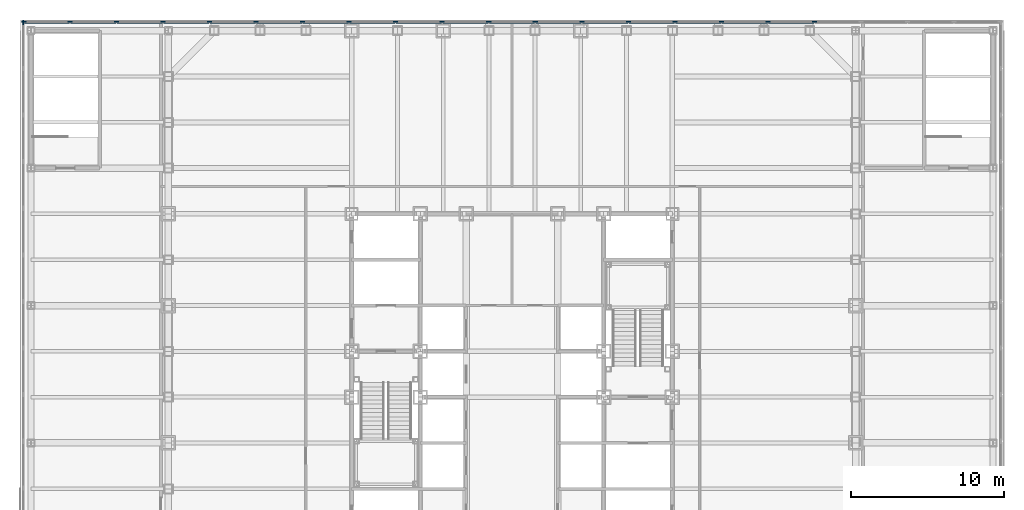
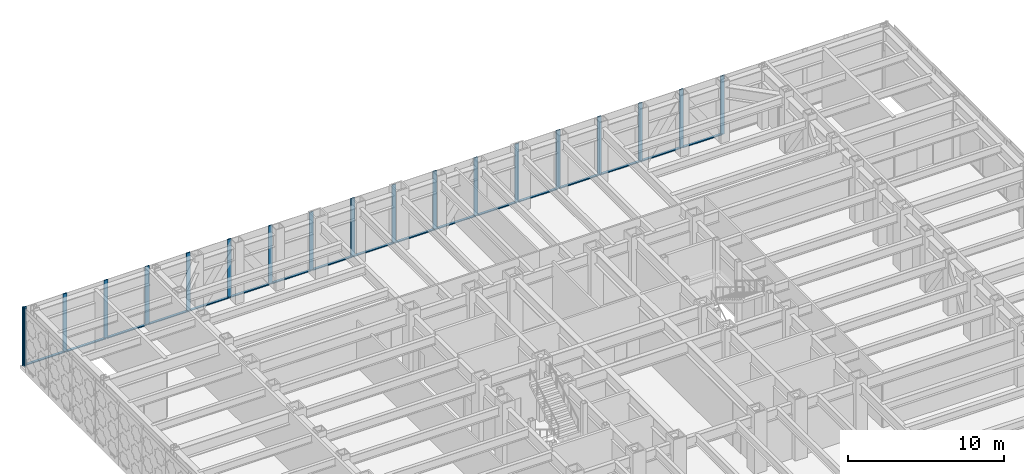
# One storey, part 10 of 24: 36 members, 2 elements without a shape of their own.
"""IFC4 building model written with IfcOpenShell, lengths in metres."""

from ifc_helpers import new_model, si_unit, direction, frame, origin, origin_2d, place, context, subcontext, project, spatial, rectangle, extrude, material, layer, layer_set, material_profile, profile_set, type_object, element, aggregate, save


model = new_model("IFC4")

# Units and contexts
model_context = context("Model", 3, precision=1e-05, world=origin(), true_north=direction((0.0, 1.0)))
body_context = subcontext(model_context, "Body", "Model", "MODEL_VIEW")
ifc_project = project(units=[si_unit("LENGTHUNIT", "METRE"), si_unit("AREAUNIT", "SQUARE_METRE"), si_unit("VOLUMEUNIT", "CUBIC_METRE"), si_unit("PLANEANGLEUNIT", "RADIAN"), si_unit("MASSUNIT", "GRAM", prefix="KILO")], contexts=[model_context])

# Site, building, storey
site_placement = place(None, origin())
site = spatial("IfcSite", under=ifc_project, at=site_placement, CompositionType="ELEMENT")
building_placement = place(site_placement, origin())
building = spatial("IfcBuilding", under=site, at=building_placement, Name="Chuquiago Exchange Tower", CompositionType="ELEMENT")
storey_placement = place(building_placement, frame((0.0, 0.0, 19.5)))
storey = spatial("IfcBuildingStorey", under=building, at=storey_placement, Name="L03", CompositionType="ELEMENT", Elevation=19.5)

# Curtain wall, members
ifc_material_1 = material(Name="Aluminium curtain wall system", Category="aluminium")
ifc_layer = layer(ifc_material_1, 0.300048828125)
ifc_layer_set = layer_set([ifc_layer], Name="CW4 podium curtain wall")
curtain_wall_type = type_object("IfcCurtainWallType", Name="CW4 podium curtain wall", PredefinedType="NOTDEFINED", material=ifc_layer_set)
curtain_wall_1_placement = place(storey_placement, origin())
curtain_wall_1 = element("IfcCurtainWall", 1, at=curtain_wall_1_placement, inside=storey, type_object=curtain_wall_type, Name="CW4 curtain wall L03", PredefinedType="NOTDEFINED")
ifc_material_2 = material(Name="Aluminium mullion, pale anodised", Category="aluminium")
ifc_material_profile_1 = material_profile(ifc_material_2, rectangle(XDim=0.074951171875, YDim=0.300048828125, at=origin_2d()), Name="AL 75x300")
ifc_profile_set_1 = profile_set([ifc_material_profile_1], Name="Aluminium mullion, pale anodised")
member_type_1 = type_object("IfcMemberType", Name="CW4-M mullion 75x300", PredefinedType="MULLION", material=ifc_profile_set_1)
member_1_placement = place(storey_placement, frame((42.3095703125, 45.574951171875, 0.0), z_axis=(0.0, 0.0, 1.0), x_axis=(0.0, -1.0, 0.0)))
member_1 = element("IfcMember", 2, at=member_1_placement, type_object=member_type_1, Name="CW4 mullion 5", PredefinedType="MULLION", context=body_context, shape_type="SweptSolid", body=[
    extrude(rectangle(XDim=0.074951171875, YDim=0.300048828125, at=origin_2d()), origin(), (0.0, 0.0, 1.0), 4.60009765625),
])
member_2_placement = place(storey_placement, frame((39.261962890625, 45.574951171875, 0.0), z_axis=(0.0, 0.0, 1.0), x_axis=(0.0, -1.0, 0.0)))
member_2 = element("IfcMember", 3, at=member_2_placement, type_object=member_type_1, Name="CW4 mullion 6", PredefinedType="MULLION", context=body_context, shape_type="SweptSolid", body=[
    extrude(rectangle(XDim=0.074951171875, YDim=0.300048828125, at=origin_2d()), origin(), (0.0, 0.0, 1.0), 4.60009765625),
])
member_3_placement = place(storey_placement, frame((36.21435546875, 45.574951171875, 0.0), z_axis=(0.0, 0.0, 1.0), x_axis=(0.0, -1.0, 0.0)))
member_3 = element("IfcMember", 4, at=member_3_placement, type_object=member_type_1, Name="CW4 mullion 7", PredefinedType="MULLION", context=body_context, shape_type="SweptSolid", body=[
    extrude(rectangle(XDim=0.074951171875, YDim=0.300048828125, at=origin_2d()), origin(), (0.0, 0.0, 1.0), 4.60009765625),
])
member_4_placement = place(storey_placement, frame((33.166748046875, 45.574951171875, 0.0), z_axis=(0.0, 0.0, 1.0), x_axis=(0.0, -1.0, 0.0)))
member_4 = element("IfcMember", 5, at=member_4_placement, type_object=member_type_1, Name="CW4 mullion 8", PredefinedType="MULLION", context=body_context, shape_type="SweptSolid", body=[
    extrude(rectangle(XDim=0.074951171875, YDim=0.300048828125, at=origin_2d()), origin(), (0.0, 0.0, 1.0), 4.60009765625),
])
member_5_placement = place(storey_placement, frame((30.119140625, 45.574951171875, 0.0), z_axis=(0.0, 0.0, 1.0), x_axis=(0.0, -1.0, 0.0)))
member_5 = element("IfcMember", 6, at=member_5_placement, type_object=member_type_1, Name="CW4 mullion 9", PredefinedType="MULLION", context=body_context, shape_type="SweptSolid", body=[
    extrude(rectangle(XDim=0.074951171875, YDim=0.300048828125, at=origin_2d()), origin(), (0.0, 0.0, 1.0), 4.60009765625),
])
member_6_placement = place(storey_placement, frame((27.071533203125, 45.574951171875, 0.0), z_axis=(0.0, 0.0, 1.0), x_axis=(0.0, -1.0, 0.0)))
member_6 = element("IfcMember", 7, at=member_6_placement, type_object=member_type_1, Name="CW4 mullion 10", PredefinedType="MULLION", context=body_context, shape_type="SweptSolid", body=[
    extrude(rectangle(XDim=0.074951171875, YDim=0.300048828125, at=origin_2d()), origin(), (0.0, 0.0, 1.0), 4.60009765625),
])
member_7_placement = place(storey_placement, frame((24.02392578125, 45.574951171875, 0.0), z_axis=(0.0, 0.0, 1.0), x_axis=(0.0, -1.0, 0.0)))
member_7 = element("IfcMember", 8, at=member_7_placement, type_object=member_type_1, Name="CW4 mullion 11", PredefinedType="MULLION", context=body_context, shape_type="SweptSolid", body=[
    extrude(rectangle(XDim=0.074951171875, YDim=0.300048828125, at=origin_2d()), origin(), (0.0, 0.0, 1.0), 4.60009765625),
])
member_8_placement = place(storey_placement, frame((20.97607421875, 45.574951171875, 0.0), z_axis=(0.0, 0.0, 1.0), x_axis=(0.0, -1.0, 0.0)))
member_8 = element("IfcMember", 9, at=member_8_placement, type_object=member_type_1, Name="CW4 mullion 12", PredefinedType="MULLION", context=body_context, shape_type="SweptSolid", body=[
    extrude(rectangle(XDim=0.074951171875, YDim=0.300048828125, at=origin_2d()), origin(), (0.0, 0.0, 1.0), 4.60009765625),
])
member_9_placement = place(storey_placement, frame((17.928466796875, 45.574951171875, 0.0), z_axis=(0.0, 0.0, 1.0), x_axis=(0.0, -1.0, 0.0)))
member_9 = element("IfcMember", 10, at=member_9_placement, type_object=member_type_1, Name="CW4 mullion 13", PredefinedType="MULLION", context=body_context, shape_type="SweptSolid", body=[
    extrude(rectangle(XDim=0.074951171875, YDim=0.300048828125, at=origin_2d()), origin(), (0.0, 0.0, 1.0), 4.60009765625),
])
member_10_placement = place(storey_placement, frame((14.880859375, 45.574951171875, 0.0), z_axis=(0.0, 0.0, 1.0), x_axis=(0.0, -1.0, 0.0)))
member_10 = element("IfcMember", 11, at=member_10_placement, type_object=member_type_1, Name="CW4 mullion 14", PredefinedType="MULLION", context=body_context, shape_type="SweptSolid", body=[
    extrude(rectangle(XDim=0.074951171875, YDim=0.300048828125, at=origin_2d()), origin(), (0.0, 0.0, 1.0), 4.60009765625),
])
member_11_placement = place(storey_placement, frame((11.833251953125, 45.574951171875, 0.0), z_axis=(0.0, 0.0, 1.0), x_axis=(0.0, -1.0, 0.0)))
member_11 = element("IfcMember", 12, at=member_11_placement, type_object=member_type_1, Name="CW4 mullion 15", PredefinedType="MULLION", context=body_context, shape_type="SweptSolid", body=[
    extrude(rectangle(XDim=0.074951171875, YDim=0.300048828125, at=origin_2d()), origin(), (0.0, 0.0, 1.0), 4.60009765625),
])
member_12_placement = place(storey_placement, frame((8.78564453125, 45.574951171875, 0.0), z_axis=(0.0, 0.0, 1.0), x_axis=(0.0, -1.0, 0.0)))
member_12 = element("IfcMember", 13, at=member_12_placement, type_object=member_type_1, Name="CW4 mullion 16", PredefinedType="MULLION", context=body_context, shape_type="SweptSolid", body=[
    extrude(rectangle(XDim=0.074951171875, YDim=0.300048828125, at=origin_2d()), origin(), (0.0, 0.0, 1.0), 4.60009765625),
])
member_13_placement = place(storey_placement, frame((5.738037109375, 45.574951171875, 0.0), z_axis=(0.0, 0.0, 1.0), x_axis=(0.0, -1.0, 0.0)))
member_13 = element("IfcMember", 14, at=member_13_placement, type_object=member_type_1, Name="CW4 mullion 17", PredefinedType="MULLION", context=body_context, shape_type="SweptSolid", body=[
    extrude(rectangle(XDim=0.074951171875, YDim=0.300048828125, at=origin_2d()), origin(), (0.0, 0.0, 1.0), 4.60009765625),
])
member_14_placement = place(storey_placement, frame((2.6904296875, 45.574951171875, 0.0), z_axis=(0.0, 0.0, 1.0), x_axis=(0.0, -1.0, 0.0)))
member_14 = element("IfcMember", 15, at=member_14_placement, type_object=member_type_1, Name="CW4 mullion 18", PredefinedType="MULLION", context=body_context, shape_type="SweptSolid", body=[
    extrude(rectangle(XDim=0.074951171875, YDim=0.300048828125, at=origin_2d()), origin(), (0.0, 0.0, 1.0), 4.60009765625),
])
member_15_placement = place(storey_placement, frame((-0.357177734375, 45.574951171875, 0.0), z_axis=(0.0, 0.0, 1.0), x_axis=(0.0, -1.0, 0.0)))
member_15 = element("IfcMember", 16, at=member_15_placement, type_object=member_type_1, Name="CW4 mullion 19", PredefinedType="MULLION", context=body_context, shape_type="SweptSolid", body=[
    extrude(rectangle(XDim=0.074951171875, YDim=0.300048828125, at=origin_2d()), origin(), (0.0, 0.0, 1.0), 4.60009765625),
])
member_16_placement = place(storey_placement, frame((-3.40478515625, 45.574951171875, 0.0), z_axis=(0.0, 0.0, 1.0), x_axis=(0.0, -1.0, 0.0)))
member_16 = element("IfcMember", 17, at=member_16_placement, type_object=member_type_1, Name="CW4 mullion 20", PredefinedType="MULLION", context=body_context, shape_type="SweptSolid", body=[
    extrude(rectangle(XDim=0.074951171875, YDim=0.300048828125, at=origin_2d()), origin(), (0.0, 0.0, 1.0), 4.60009765625),
])
member_17_placement = place(storey_placement, frame((-6.452392578125, 45.574951171875, 0.0), z_axis=(0.0, 0.0, 1.0), x_axis=(0.0, -1.0, 0.0)))
member_17 = element("IfcMember", 18, at=member_17_placement, type_object=member_type_1, Name="CW4 mullion 21", PredefinedType="MULLION", context=body_context, shape_type="SweptSolid", body=[
    extrude(rectangle(XDim=0.074951171875, YDim=0.300048828125, at=origin_2d()), origin(), (0.0, 0.0, 1.0), 4.60009765625),
])
member_18_placement = place(storey_placement, frame((-9.46240234375, 45.574951171875, 0.0), z_axis=(0.0, 0.0, 1.0), x_axis=(0.0, -1.0, 0.0)))
member_18 = element("IfcMember", 19, at=member_18_placement, type_object=member_type_1, Name="CW4 mullion 22", PredefinedType="MULLION", context=body_context, shape_type="SweptSolid", body=[
    extrude(rectangle(XDim=0.074951171875, YDim=0.300048828125, at=origin_2d()), origin(), (0.0, 0.0, 1.0), 4.60009765625),
])

# Curtain wall, member
curtain_wall_2_placement = place(storey_placement, origin())
curtain_wall_2 = element("IfcCurtainWall", 20, at=curtain_wall_2_placement, inside=storey, type_object=curtain_wall_type, Name="CW4 curtain wall L03", PredefinedType="NOTDEFINED")
member_19_placement = place(storey_placement, frame((-9.5, 45.53759765625, 0.0), z_axis=(0.0, 0.0, 1.0), x_axis=(1.0, 0.0, 0.0)))
member_19 = element("IfcMember", 21, at=member_19_placement, type_object=member_type_1, Name="CW4 mullion 1", PredefinedType="MULLION", context=body_context, shape_type="SweptSolid", body=[
    extrude(rectangle(XDim=0.074951171875, YDim=0.300048828125, at=origin_2d()), origin(), (0.0, 0.0, 1.0), 4.60009765625),
])
aggregate(curtain_wall_2, [member_19])

# Member
ifc_material_3 = material(Name="Aluminium transom, pale anodised", Category="aluminium")
ifc_material_profile_2 = material_profile(ifc_material_3, rectangle(XDim=0.179931640625, YDim=0.074951171875, at=origin_2d()), Name="AL 180x75")
ifc_profile_set_2 = profile_set([ifc_material_profile_2], Name="Aluminium transom, pale anodised")
member_type_2 = type_object("IfcMemberType", Name="CW4-T transom 75x180", PredefinedType="MULLION", material=ifc_profile_set_2)
member_20_placement = place(storey_placement, frame((42.27197265625, 45.574951171875, 0.03759765625), z_axis=(-1.0, 0.0, 0.0), x_axis=(0.0, -1.0, 0.0)))
member_20 = element("IfcMember", 22, at=member_20_placement, type_object=member_type_2, Name="CW4 transom 5.1", PredefinedType="MULLION", context=body_context, shape_type="SweptSolid", body=[
    extrude(rectangle(XDim=0.179931640625, YDim=0.074951171875, at=origin_2d()), origin(), (0.0, 0.0, 1.0), 2.97265625),
])

member_21_placement = place(storey_placement, frame((39.224365234375, 45.574951171875, 0.03759765625), z_axis=(-1.0, 0.0, 0.0), x_axis=(0.0, -1.0, 0.0)))
member_21 = element("IfcMember", 23, at=member_21_placement, type_object=member_type_2, Name="CW4 transom 6.1", PredefinedType="MULLION", context=body_context, shape_type="SweptSolid", body=[
    extrude(rectangle(XDim=0.179931640625, YDim=0.074951171875, at=origin_2d()), origin(), (0.0, 0.0, 1.0), 2.97265625),
])

member_22_placement = place(storey_placement, frame((36.1767578125, 45.574951171875, 0.03759765625), z_axis=(-1.0, 0.0, 0.0), x_axis=(0.0, -1.0, 0.0)))
member_22 = element("IfcMember", 24, at=member_22_placement, type_object=member_type_2, Name="CW4 transom 7.1", PredefinedType="MULLION", context=body_context, shape_type="SweptSolid", body=[
    extrude(rectangle(XDim=0.179931640625, YDim=0.074951171875, at=origin_2d()), origin(), (0.0, 0.0, 1.0), 2.97265625),
])

member_23_placement = place(storey_placement, frame((33.129150390625, 45.574951171875, 0.03759765625), z_axis=(-1.0, 0.0, 0.0), x_axis=(0.0, -1.0, 0.0)))
member_23 = element("IfcMember", 25, at=member_23_placement, type_object=member_type_2, Name="CW4 transom 8.1", PredefinedType="MULLION", context=body_context, shape_type="SweptSolid", body=[
    extrude(rectangle(XDim=0.179931640625, YDim=0.074951171875, at=origin_2d()), origin(), (0.0, 0.0, 1.0), 2.97265625),
])

member_24_placement = place(storey_placement, frame((30.08154296875, 45.574951171875, 0.03759765625), z_axis=(-1.0, 0.0, 0.0), x_axis=(0.0, -1.0, 0.0)))
member_24 = element("IfcMember", 26, at=member_24_placement, type_object=member_type_2, Name="CW4 transom 9.1", PredefinedType="MULLION", context=body_context, shape_type="SweptSolid", body=[
    extrude(rectangle(XDim=0.179931640625, YDim=0.074951171875, at=origin_2d()), origin(), (0.0, 0.0, 1.0), 2.97265625),
])

member_25_placement = place(storey_placement, frame((27.033935546875, 45.574951171875, 0.03759765625), z_axis=(-1.0, 0.0, 0.0), x_axis=(0.0, -1.0, 0.0)))
member_25 = element("IfcMember", 27, at=member_25_placement, type_object=member_type_2, Name="CW4 transom 10.1", PredefinedType="MULLION", context=body_context, shape_type="SweptSolid", body=[
    extrude(rectangle(XDim=0.179931640625, YDim=0.074951171875, at=origin_2d()), origin(), (0.0, 0.0, 1.0), 2.97265625),
])

member_26_placement = place(storey_placement, frame((23.986328125, 45.574951171875, 0.03759765625), z_axis=(-1.0, 0.0, 0.0), x_axis=(0.0, -1.0, 0.0)))
member_26 = element("IfcMember", 28, at=member_26_placement, type_object=member_type_2, Name="CW4 transom 11.1", PredefinedType="MULLION", context=body_context, shape_type="SweptSolid", body=[
    extrude(rectangle(XDim=0.179931640625, YDim=0.074951171875, at=origin_2d()), origin(), (0.0, 0.0, 1.0), 2.97265625),
])

member_27_placement = place(storey_placement, frame((20.938720703125, 45.574951171875, 0.03759765625), z_axis=(-1.0, 0.0, 0.0), x_axis=(0.0, -1.0, 0.0)))
member_27 = element("IfcMember", 29, at=member_27_placement, type_object=member_type_2, Name="CW4 transom 12.1", PredefinedType="MULLION", context=body_context, shape_type="SweptSolid", body=[
    extrude(rectangle(XDim=0.179931640625, YDim=0.074951171875, at=origin_2d()), origin(), (0.0, 0.0, 1.0), 2.97265625),
])

member_28_placement = place(storey_placement, frame((17.89111328125, 45.574951171875, 0.03759765625), z_axis=(-1.0, 0.0, 0.0), x_axis=(0.0, -1.0, 0.0)))
member_28 = element("IfcMember", 30, at=member_28_placement, type_object=member_type_2, Name="CW4 transom 13.1", PredefinedType="MULLION", context=body_context, shape_type="SweptSolid", body=[
    extrude(rectangle(XDim=0.179931640625, YDim=0.074951171875, at=origin_2d()), origin(), (0.0, 0.0, 1.0), 2.97265625),
])

member_29_placement = place(storey_placement, frame((14.843505859375, 45.574951171875, 0.03759765625), z_axis=(-1.0, 0.0, 0.0), x_axis=(0.0, -1.0, 0.0)))
member_29 = element("IfcMember", 31, at=member_29_placement, type_object=member_type_2, Name="CW4 transom 14.1", PredefinedType="MULLION", context=body_context, shape_type="SweptSolid", body=[
    extrude(rectangle(XDim=0.179931640625, YDim=0.074951171875, at=origin_2d()), origin(), (0.0, 0.0, 1.0), 2.97265625),
])

member_30_placement = place(storey_placement, frame((11.7958984375, 45.574951171875, 0.03759765625), z_axis=(-1.0, 0.0, 0.0), x_axis=(0.0, -1.0, 0.0)))
member_30 = element("IfcMember", 32, at=member_30_placement, type_object=member_type_2, Name="CW4 transom 15.1", PredefinedType="MULLION", context=body_context, shape_type="SweptSolid", body=[
    extrude(rectangle(XDim=0.179931640625, YDim=0.074951171875, at=origin_2d()), origin(), (0.0, 0.0, 1.0), 2.97265625),
])

member_31_placement = place(storey_placement, frame((8.748291015625, 45.574951171875, 0.03759765625), z_axis=(-1.0, 0.0, 0.0), x_axis=(0.0, -1.0, 0.0)))
member_31 = element("IfcMember", 33, at=member_31_placement, type_object=member_type_2, Name="CW4 transom 16.1", PredefinedType="MULLION", context=body_context, shape_type="SweptSolid", body=[
    extrude(rectangle(XDim=0.179931640625, YDim=0.074951171875, at=origin_2d()), origin(), (0.0, 0.0, 1.0), 2.97265625),
])

member_32_placement = place(storey_placement, frame((5.70068359375, 45.574951171875, 0.03759765625), z_axis=(-1.0, 0.0, 0.0), x_axis=(0.0, -1.0, 0.0)))
member_32 = element("IfcMember", 34, at=member_32_placement, type_object=member_type_2, Name="CW4 transom 17.1", PredefinedType="MULLION", context=body_context, shape_type="SweptSolid", body=[
    extrude(rectangle(XDim=0.179931640625, YDim=0.074951171875, at=origin_2d()), origin(), (0.0, 0.0, 1.0), 2.97265625),
])

member_33_placement = place(storey_placement, frame((2.653076171875, 45.574951171875, 0.03759765625), z_axis=(-1.0, 0.0, 0.0), x_axis=(0.0, -1.0, 0.0)))
member_33 = element("IfcMember", 35, at=member_33_placement, type_object=member_type_2, Name="CW4 transom 18.1", PredefinedType="MULLION", context=body_context, shape_type="SweptSolid", body=[
    extrude(rectangle(XDim=0.179931640625, YDim=0.074951171875, at=origin_2d()), origin(), (0.0, 0.0, 1.0), 2.97265625),
])

member_34_placement = place(storey_placement, frame((-0.39453125, 45.574951171875, 0.03759765625), z_axis=(-1.0, 0.0, 0.0), x_axis=(0.0, -1.0, 0.0)))
member_34 = element("IfcMember", 36, at=member_34_placement, type_object=member_type_2, Name="CW4 transom 19.1", PredefinedType="MULLION", context=body_context, shape_type="SweptSolid", body=[
    extrude(rectangle(XDim=0.179931640625, YDim=0.074951171875, at=origin_2d()), origin(), (0.0, 0.0, 1.0), 2.97265625),
])

member_35_placement = place(storey_placement, frame((-3.4423828125, 45.574951171875, 0.03759765625), z_axis=(-1.0, 0.0, 0.0), x_axis=(0.0, -1.0, 0.0)))
member_35 = element("IfcMember", 37, at=member_35_placement, type_object=member_type_2, Name="CW4 transom 20.1", PredefinedType="MULLION", context=body_context, shape_type="SweptSolid", body=[
    extrude(rectangle(XDim=0.179931640625, YDim=0.074951171875, at=origin_2d()), origin(), (0.0, 0.0, 1.0), 2.972412109375),
])

member_36_placement = place(storey_placement, frame((-6.489990234375, 45.574951171875, 0.03759765625), z_axis=(-1.0, 0.0, 0.0), x_axis=(0.0, -1.0, 0.0)))
member_36 = element("IfcMember", 38, at=member_36_placement, type_object=member_type_2, Name="CW4 transom 21.1", PredefinedType="MULLION", context=body_context, shape_type="SweptSolid", body=[
    extrude(rectangle(XDim=0.179931640625, YDim=0.074951171875, at=origin_2d()), origin(), (0.0, 0.0, 1.0), 2.93505859375),
])

aggregate(curtain_wall_1, [member_1, member_2, member_3, member_4, member_5, member_6, member_7, member_8, member_9, member_10, member_11, member_12, member_13, member_14, member_15, member_16, member_17, member_18, member_20, member_21, member_22, member_23, member_24, member_25, member_26, member_27, member_28, member_29, member_30, member_31, member_32, member_33, member_34, member_35, member_36])

save(model, "model.ifc")
